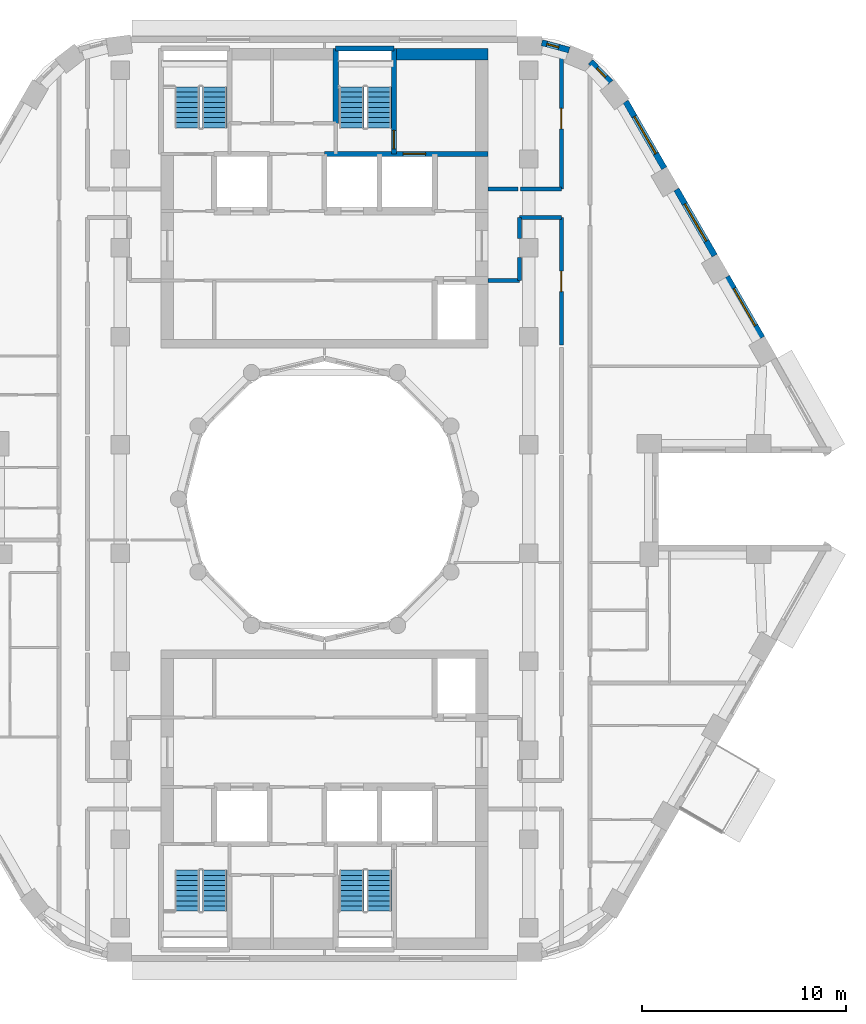
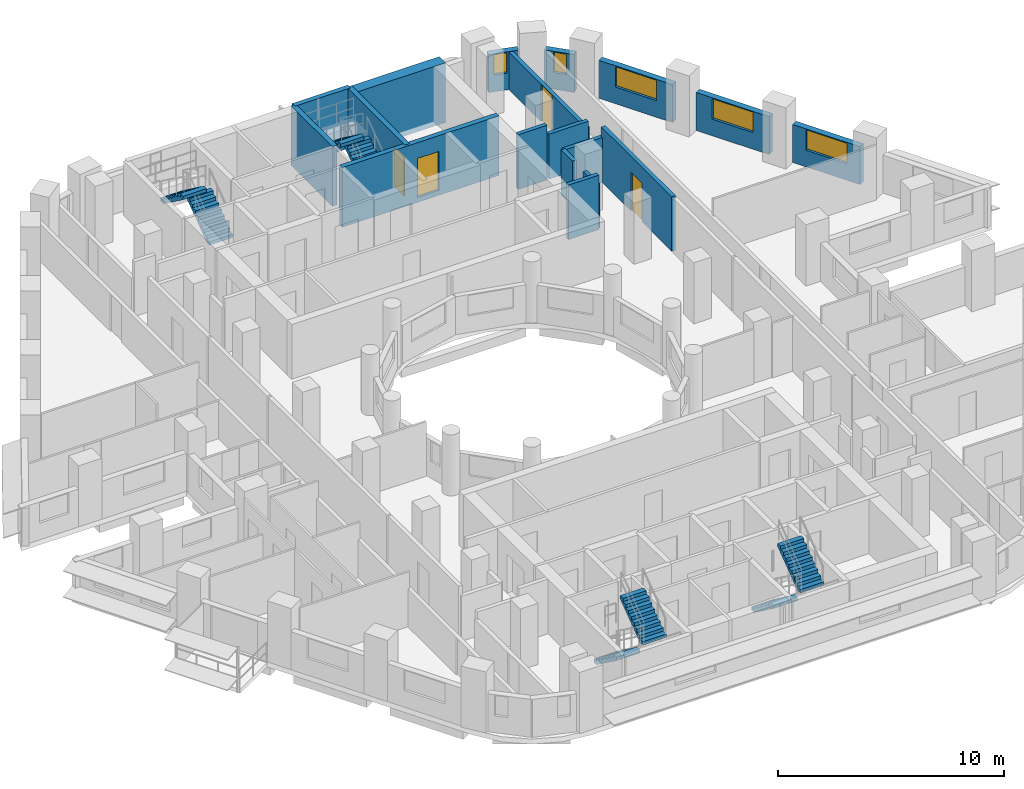
# One storey, part 9 of 15: 18 walls, 8 stair flights, 5 windows, 4 doors, 9 openings, 4 elements without a shape of their own.
"""IFC4 building model written with IfcOpenShell, lengths in metres."""

from ifc_helpers import new_model, si_unit, direction, frame, frame_2d, origin, place, context, subcontext, project, spatial, polyline, rectangle, outline, extrude, material, layer, layer_set, type_object, element, fill, aggregate, save


model = new_model("IFC4")

# Units and contexts
model_context = context("Model", 3, precision=1e-05, world=origin(), true_north=direction((0.0, 1.0)))
body_context = subcontext(model_context, "Body", "Model", "MODEL_VIEW")
ifc_project = project(units=[si_unit("LENGTHUNIT", "METRE"), si_unit("AREAUNIT", "SQUARE_METRE"), si_unit("VOLUMEUNIT", "CUBIC_METRE"), si_unit("PLANEANGLEUNIT", "RADIAN"), si_unit("MASSUNIT", "GRAM", prefix="KILO")], contexts=[model_context])

# Site, building, storey
site_placement = place(None, origin())
site = spatial("IfcSite", under=ifc_project, at=site_placement, CompositionType="ELEMENT")
building_placement = place(site_placement, origin())
building = spatial("IfcBuilding", under=site, at=building_placement, Name="Nakaniwa Court", CompositionType="ELEMENT")
storey_placement = place(building_placement, frame((0.0, 0.0, 216.300048828125)))
storey = spatial("IfcBuildingStorey", under=building, at=storey_placement, Name="L57", CompositionType="ELEMENT", Elevation=216.300048828125)

# Wall, opening, door
ifc_material_1 = material(Name="Acoustic double stud partition")
ifc_layer_1 = layer(ifc_material_1, 0.199951171875)
ifc_layer_set_1 = layer_set([ifc_layer_1], Name="Acoustic double stud partition")
wall_type_1 = type_object("IfcWallType", Name="Acoustic double stud partition 200", PredefinedType="PARTITIONING", material=ifc_layer_set_1)
wall_1_placement = place(storey_placement, frame((91.60009765625, 87.537109375, 0.0), z_axis=(0.0, 0.0, 1.0), x_axis=(0.0, 1.0, 0.0)))
wall_1 = element("IfcWall", 1, at=wall_1_placement, inside=storey, type_object=wall_type_1, Name="Partition PW-069", PredefinedType="PARTITIONING", context=body_context, shape_type="SweptSolid", body=[
    extrude(rectangle(XDim=6.23779296875, YDim=0.199951171875, at=frame_2d((3.118896484375, 0.0))), origin(), (0.0, 0.0, 1.0), 2.949951171875),
])
opening_1_placement = place(wall_1_placement, frame((2.6201171875, 0.0, 0.0)))
opening_1 = element("IfcOpeningElement", 2, at=opening_1_placement, cuts=wall_1, Name="Opening D-02-02", PredefinedType="OPENING", context=body_context, shape_type="SweptSolid", body=[
    extrude(rectangle(XDim=1.0, YDim=2.10009765625, at=frame_2d((0.5, 1.050048828125))), frame((0.0, 0.10986328125, 0.0), z_axis=(0.0, -1.0, 0.0), x_axis=(1.0, 0.0, 0.0)), (0.0, 0.0, 1.0), 0.219970703125),
])
ifc_material_2 = material(Name="Solid core timber door set, black veneer", Category="wood")
door_type_1 = type_object("IfcDoorType", Name="Internal door 1000", OperationType="NOTDEFINED", PredefinedType="DOOR", material=ifc_material_2)
door_1_placement = place(opening_1_placement, origin())
door_1 = element("IfcDoor", 3, at=door_1_placement, inside=storey, type_object=door_type_1, Name="Door D-02-02 L57-031", OperationType="SINGLE_SWING_RIGHT", OverallHeight=2.10009765625, OverallWidth=1.0, PredefinedType="DOOR", context=body_context, shape_type="SweptSolid", body=[
    extrude(rectangle(XDim=1.0, YDim=2.10009765625, at=frame_2d((0.5, 1.050048828125))), frame((0.0, 0.02490234375, 0.0), z_axis=(0.0, -1.0, 0.0), x_axis=(1.0, 0.0, 0.0)), (0.0, 0.0, 1.0), 0.050048828125),
])
fill(opening_1, door_1)

wall_2_placement = place(storey_placement, frame((91.60009765625, 95.175048828125, 0.0), z_axis=(0.0, 0.0, 1.0), x_axis=(0.0, 1.0, 0.0)))
wall_2 = element("IfcWall", 4, at=wall_2_placement, inside=storey, type_object=wall_type_1, Name="Partition PW-070", PredefinedType="PARTITIONING", context=body_context, shape_type="SweptSolid", body=[
    extrude(rectangle(XDim=6.898681640625, YDim=0.199951171875, at=frame_2d((3.44921875, 0.0))), origin(), (0.0, 0.0, 1.0), 2.030029296875),
])
opening_2_placement = place(wall_2_placement, frame((2.949951171875, 0.0, 0.0)))
opening_2 = element("IfcOpeningElement", 5, at=opening_2_placement, cuts=wall_2, Name="Opening D-36-05", PredefinedType="OPENING", context=body_context, shape_type="SweptSolid", body=[
    extrude(rectangle(XDim=1.0, YDim=2.010009765625, at=frame_2d((0.5, 1.0048828125))), frame((0.0, 0.10986328125, 0.0), z_axis=(0.0, -1.0, 0.0), x_axis=(1.0, 0.0, 0.0)), (0.0, 0.0, 1.0), 0.219970703125),
])
door_type_2 = type_object("IfcDoorType", Name="Internal door 1000 x 2010", OperationType="NOTDEFINED", PredefinedType="DOOR", material=ifc_material_2)
door_2_placement = place(opening_2_placement, origin())
door_2 = element("IfcDoor", 6, at=door_2_placement, inside=storey, type_object=door_type_2, Name="Door D-36-05 L57-048", OperationType="SINGLE_SWING_LEFT", OverallHeight=2.010009765625, OverallWidth=1.0, PredefinedType="DOOR", context=body_context, shape_type="SweptSolid", body=[
    extrude(rectangle(XDim=1.0, YDim=2.010009765625, at=frame_2d((0.5, 1.0048828125))), frame((0.0, 0.02490234375, 0.0), z_axis=(0.0, -1.0, 0.0), x_axis=(1.0, 0.0, 0.0)), (0.0, 0.0, 1.0), 0.050048828125),
])
fill(opening_2, door_2)

# Walls
wall_3_placement = place(storey_placement, frame((89.550048828125, 90.699951171875, 0.0), z_axis=(0.0, 0.0, 1.0), x_axis=(0.0, 1.0, 0.0)))
element("IfcWall", 7, at=wall_3_placement, inside=storey, type_object=wall_type_1, Name="Partition PW-080", PredefinedType="PARTITIONING", context=body_context, shape_type="SweptSolid", body=[
    extrude(rectangle(XDim=1.1328125, YDim=0.199951171875, at=frame_2d((0.56640625, 0.0))), origin(), (0.0, 0.0, 1.0), 2.429931640625),
])
wall_4_placement = place(storey_placement, frame((89.550048828125, 92.76708984375, 0.0), z_axis=(0.0, 0.0, 1.0), x_axis=(0.0, 1.0, 0.0)))
element("IfcWall", 8, at=wall_4_placement, inside=storey, type_object=wall_type_1, Name="Partition PW-081", PredefinedType="PARTITIONING", context=body_context, shape_type="SweptSolid", body=[
    extrude(rectangle(XDim=1.0078125, YDim=0.199951171875, at=frame_2d((0.50390625, 0.0))), origin(), (0.0, 0.0, 1.0), 2.429931640625),
])
wall_5_placement = place(storey_placement, frame((89.550048828125, 93.77490234375, 0.0), z_axis=(0.0, 0.0, 1.0), x_axis=(1.0, 0.0, 0.0)))
element("IfcWall", 9, at=wall_5_placement, inside=storey, type_object=wall_type_1, Name="Partition PW-085", PredefinedType="PARTITIONING", context=body_context, shape_type="SweptSolid", body=[
    extrude(rectangle(XDim=2.050048828125, YDim=0.199951171875, at=frame_2d((1.02490234375, 0.0))), origin(), (0.0, 0.0, 1.0), 2.429931640625),
])
wall_6_placement = place(storey_placement, frame((88.0, 90.699951171875, 0.0), z_axis=(0.0, 0.0, 1.0), x_axis=(1.0, 0.0, 0.0)))
element("IfcWall", 10, at=wall_6_placement, inside=storey, type_object=wall_type_1, Name="Partition PW-087", PredefinedType="PARTITIONING", context=body_context, shape_type="SweptSolid", body=[
    extrude(rectangle(XDim=1.550048828125, YDim=0.199951171875, at=frame_2d((0.77490234375, 0.0))), origin(), (0.0, 0.0, 1.0), 2.949951171875),
])
wall_7_placement = place(storey_placement, frame((88.0, 95.175048828125, 0.0), z_axis=(0.0, 0.0, 1.0), x_axis=(1.0, 0.0, 0.0)))
element("IfcWall", 11, at=wall_7_placement, inside=storey, type_object=wall_type_1, Name="Partition PW-090", PredefinedType="PARTITIONING", context=body_context, shape_type="SweptSolid", body=[
    extrude(rectangle(XDim=1.472900390625, YDim=0.199951171875, at=frame_2d((0.736328125, 0.0))), origin(), (0.0, 0.0, 1.0), 2.949951171875),
])
wall_8_placement = place(storey_placement, frame((89.587158203125, 95.175048828125, 0.0), z_axis=(0.0, 0.0, 1.0), x_axis=(1.0, 0.0, 0.0)))
element("IfcWall", 12, at=wall_8_placement, inside=storey, type_object=wall_type_1, Name="Partition PW-091", PredefinedType="PARTITIONING", context=body_context, shape_type="SweptSolid", body=[
    extrude(rectangle(XDim=2.012939453125, YDim=0.199951171875, at=frame_2d((1.00634765625, 0.0))), origin(), (0.0, 0.0, 1.0), 2.429931640625),
])

# Wall, opening, window
ifc_material_3 = material(Name="Charcoal ceramic cladding")
ifc_layer_2 = layer(ifc_material_3, 0.02, Name="Ceramic cladding")
ifc_material_4 = material(Name="Ventilated air cavity")
ifc_layer_3 = layer(ifc_material_4, 0.04, ventilated=True, Name="Ventilated cavity")
ifc_material_5 = material(Name="Mineral wool insulation")
ifc_layer_4 = layer(ifc_material_5, 0.1, Name="Insulation")
ifc_material_6 = material(Name="Cement bonded sheathing board")
ifc_layer_5 = layer(ifc_material_6, 0.012, Name="Sheathing")
ifc_material_7 = material(Name="Cold-formed galvanised stud frame with mineral wool infill")
ifc_layer_6 = layer(ifc_material_7, 0.1, Name="Stud frame")
ifc_material_8 = material(Name="Fire-rated gypsum plasterboard lining")
ifc_layer_7 = layer(ifc_material_8, 0.028, Name="Lining")
ifc_layer_set_2 = layer_set([ifc_layer_2, ifc_layer_3, ifc_layer_4, ifc_layer_5, ifc_layer_6, ifc_layer_7], Name="Charcoal ceramic faced external wall system")
wall_type_2 = type_object("IfcWallType", Name="Black ceramic faced external wall 300", PredefinedType="SOLIDWALL", material=ifc_layer_set_2)
wall_9_placement = place(storey_placement, frame((101.420654296875, 87.898193359375, 0.0), z_axis=(0.0, 0.0, 1.0), x_axis=(-0.499955427682, 0.866051136095, 0.0)))
wall_9 = element("IfcWall", 13, at=wall_9_placement, inside=storey, type_object=wall_type_2, Name="L57 external wall 03", PredefinedType="SOLIDWALL", context=body_context, shape_type="SweptSolid", body=[
    extrude(rectangle(XDim=3.447021484375, YDim=0.300048828125, at=frame_2d((1.7236328125, 0.0))), origin(), (0.0, 0.0, 1.0), 2.050048828125),
])
opening_3_placement = place(wall_9_placement, frame((0.673583984375, 0.0, 0.89990234375)))
opening_3 = element("IfcOpeningElement", 14, at=opening_3_placement, cuts=wall_9, Name="Opening W7.04", PredefinedType="OPENING", context=body_context, shape_type="SweptSolid", body=[
    extrude(rectangle(XDim=2.10009765625, YDim=1.10009765625, at=frame_2d((1.050048828125, 0.550048828125))), frame((0.0, 0.159912109375, 0.0), z_axis=(0.0, -1.0, 0.0), x_axis=(1.0, 0.0, 0.0)), (0.0, 0.0, 1.0), 0.320068359375),
])
ifc_material_9 = material(Name="Black anodised aluminium frame with dark low-E laminated double glazing", Category="aluminium")
window_type_1 = type_object("IfcWindowType", Name="Dark glass window 2100x1100 sill 900", PartitioningType="SINGLE_PANEL", PredefinedType="WINDOW", material=ifc_material_9)
window_1_placement = place(opening_3_placement, origin())
window_1 = element("IfcWindow", 15, at=window_1_placement, inside=storey, type_object=window_type_1, Name="L57 habitable room window 03-0", OverallHeight=1.10009765625, OverallWidth=2.10009765625, PartitioningType="SINGLE_PANEL", PredefinedType="WINDOW", context=body_context, shape_type="SweptSolid", body=[
    extrude(rectangle(XDim=2.10009765625, YDim=1.10009765625, at=frame_2d((1.050048828125, 0.550048828125))), frame((0.0, 0.030029296875, 0.0), z_axis=(0.0, -1.0, 0.0), x_axis=(1.0, 0.0, 0.0)), (0.0, 0.0, 1.0), 0.06005859375),
])
fill(opening_3, window_1)

wall_10_placement = place(storey_placement, frame((99.101318359375, 91.916015625, 0.0), z_axis=(0.0, 0.0, 1.0), x_axis=(-0.500059225181, 0.86599120741, 0.0)))
wall_10 = element("IfcWall", 16, at=wall_10_placement, inside=storey, type_object=wall_type_2, Name="L57 external wall 04", PredefinedType="SOLIDWALL", context=body_context, shape_type="SweptSolid", body=[
    extrude(rectangle(XDim=3.744140625, YDim=0.300048828125, at=frame_2d((1.8720703125, 0.0))), origin(), (0.0, 0.0, 1.0), 2.050048828125),
])
opening_4_placement = place(wall_10_placement, frame((0.822265625, 0.0, 0.89990234375)))
opening_4 = element("IfcOpeningElement", 17, at=opening_4_placement, cuts=wall_10, Name="Opening W7.05", PredefinedType="OPENING", context=body_context, shape_type="SweptSolid", body=[
    extrude(rectangle(XDim=2.10009765625, YDim=1.10009765625, at=frame_2d((1.050048828125, 0.550048828125))), frame((0.0, 0.159912109375, 0.0), z_axis=(0.0, -1.0, 0.0), x_axis=(1.0, 0.0, 0.0)), (0.0, 0.0, 1.0), 0.320068359375),
])
window_2_placement = place(opening_4_placement, origin())
window_2 = element("IfcWindow", 18, at=window_2_placement, inside=storey, type_object=window_type_1, Name="L57 habitable room window 04-0", OverallHeight=1.10009765625, OverallWidth=2.10009765625, PartitioningType="SINGLE_PANEL", PredefinedType="WINDOW", context=body_context, shape_type="SweptSolid", body=[
    extrude(rectangle(XDim=2.10009765625, YDim=1.10009765625, at=frame_2d((1.050048828125, 0.550048828125))), frame((0.0, 0.030029296875, 0.0), z_axis=(0.0, -1.0, 0.0), x_axis=(1.0, 0.0, 0.0)), (0.0, 0.0, 1.0), 0.06005859375),
])
fill(opening_4, window_2)

wall_11_placement = place(storey_placement, frame((96.633056640625, 96.190673828125, 0.0), z_axis=(0.0, 0.0, 1.0), x_axis=(-0.499961087031, 0.866047869032, 0.0)))
wall_11 = element("IfcWall", 19, at=wall_11_placement, inside=storey, type_object=wall_type_2, Name="L57 external wall 05", PredefinedType="SOLIDWALL", context=body_context, shape_type="SweptSolid", body=[
    extrude(rectangle(XDim=3.778564453125, YDim=0.300048828125, at=frame_2d((1.88916015625, 0.0))), origin(), (0.0, 0.0, 1.0), 2.050048828125),
])
opening_5_placement = place(wall_11_placement, frame((0.827880859375, 0.0, 0.89990234375)))
opening_5 = element("IfcOpeningElement", 20, at=opening_5_placement, cuts=wall_11, Name="Opening W7.06", PredefinedType="OPENING", context=body_context, shape_type="SweptSolid", body=[
    extrude(rectangle(XDim=2.10009765625, YDim=1.10009765625, at=frame_2d((1.050048828125, 0.550048828125))), frame((0.0, 0.159912109375, 0.0), z_axis=(0.0, -1.0, 0.0), x_axis=(1.0, 0.0, 0.0)), (0.0, 0.0, 1.0), 0.320068359375),
])
window_3_placement = place(opening_5_placement, origin())
window_3 = element("IfcWindow", 21, at=window_3_placement, inside=storey, type_object=window_type_1, Name="L57 habitable room window 05-0", OverallHeight=1.10009765625, OverallWidth=2.10009765625, PartitioningType="SINGLE_PANEL", PredefinedType="WINDOW", context=body_context, shape_type="SweptSolid", body=[
    extrude(rectangle(XDim=2.10009765625, YDim=1.10009765625, at=frame_2d((1.050048828125, 0.550048828125))), frame((0.0, 0.030029296875, 0.0), z_axis=(0.0, -1.0, 0.0), x_axis=(1.0, 0.0, 0.0)), (0.0, 0.0, 1.0), 0.06005859375),
])
fill(opening_5, window_3)

wall_12_placement = place(storey_placement, frame((94.009033203125, 100.40185546875, 0.0), z_axis=(0.0, 0.0, 1.0), x_axis=(-0.69817596362, 0.715926199984, 0.0)))
wall_12 = element("IfcWall", 22, at=wall_12_placement, inside=storey, type_object=wall_type_2, Name="L57 external wall 06", PredefinedType="SOLIDWALL", context=body_context, shape_type="SweptSolid", body=[
    extrude(rectangle(XDim=1.40283203125, YDim=0.300048828125, at=frame_2d((0.701416015625, 0.0))), origin(), (0.0, 0.0, 1.0), 2.050048828125),
])
opening_6_placement = place(wall_12_placement, frame((0.35986328125, 0.0, 0.89990234375)))
opening_6 = element("IfcOpeningElement", 23, at=opening_6_placement, cuts=wall_12, Name="Opening W8.07", PredefinedType="OPENING", context=body_context, shape_type="SweptSolid", body=[
    extrude(rectangle(XDim=0.60009765625, YDim=1.10009765625, at=frame_2d((0.300048828125, 0.550048828125))), frame((0.0, 0.159912109375, 0.0), z_axis=(0.0, -1.0, 0.0), x_axis=(1.0, 0.0, 0.0)), (0.0, 0.0, 1.0), 0.320068359375),
])
window_type_2 = type_object("IfcWindowType", Name="Dark glass window 600x1100 sill 900", PartitioningType="SINGLE_PANEL", PredefinedType="WINDOW", material=ifc_material_9)
window_4_placement = place(opening_6_placement, origin())
window_4 = element("IfcWindow", 24, at=window_4_placement, inside=storey, type_object=window_type_2, Name="L57 habitable room window 06-0", OverallHeight=1.10009765625, OverallWidth=0.60009765625, PartitioningType="SINGLE_PANEL", PredefinedType="WINDOW", context=body_context, shape_type="SweptSolid", body=[
    extrude(rectangle(XDim=0.60009765625, YDim=1.10009765625, at=frame_2d((0.300048828125, 0.550048828125))), frame((0.0, 0.030029296875, 0.0), z_axis=(0.0, -1.0, 0.0), x_axis=(1.0, 0.0, 0.0)), (0.0, 0.0, 1.0), 0.06005859375),
])
fill(opening_6, window_4)

wall_13_placement = place(storey_placement, frame((91.977294921875, 101.981201171875, 0.0), z_axis=(0.0, 0.0, 1.0), x_axis=(-0.965315341278, 0.261086751661, 0.0)))
wall_13 = element("IfcWall", 25, at=wall_13_placement, inside=storey, type_object=wall_type_2, Name="L57 external wall 07", PredefinedType="SOLIDWALL", context=body_context, shape_type="SweptSolid", body=[
    extrude(rectangle(XDim=1.384033203125, YDim=0.300048828125, at=frame_2d((0.69189453125, 0.0))), origin(), (0.0, 0.0, 1.0), 2.050048828125),
])
opening_7_placement = place(wall_13_placement, frame((0.529296875, 0.0, 0.89990234375)))
opening_7 = element("IfcOpeningElement", 26, at=opening_7_placement, cuts=wall_13, Name="Opening W8.08", PredefinedType="OPENING", context=body_context, shape_type="SweptSolid", body=[
    extrude(rectangle(XDim=0.60009765625, YDim=1.10009765625, at=frame_2d((0.300048828125, 0.550048828125))), frame((0.0, 0.159912109375, 0.0), z_axis=(0.0, -1.0, 0.0), x_axis=(1.0, 0.0, 0.0)), (0.0, 0.0, 1.0), 0.320068359375),
])
window_5_placement = place(opening_7_placement, origin())
window_5 = element("IfcWindow", 27, at=window_5_placement, inside=storey, type_object=window_type_2, Name="L57 habitable room window 07-1", OverallHeight=1.10009765625, OverallWidth=0.60009765625, PartitioningType="SINGLE_PANEL", PredefinedType="WINDOW", context=body_context, shape_type="SweptSolid", body=[
    extrude(rectangle(XDim=0.60009765625, YDim=1.10009765625, at=frame_2d((0.300048828125, 0.550048828125))), frame((0.0, 0.030029296875, 0.0), z_axis=(0.0, -1.0, 0.0), x_axis=(1.0, 0.0, 0.0)), (0.0, 0.0, 1.0), 0.06005859375),
])
fill(opening_7, window_5)

# Walls
ifc_material_10 = material(Name="Concrete C80/100", Category="concrete")
ifc_layer_8 = layer(ifc_material_10, 0.25)
ifc_layer_set_3 = layer_set([ifc_layer_8], Name="Concrete C80/100")
wall_type_3 = type_object("IfcWallType", Name="Concrete core wall 250 C80", PredefinedType="SHEAR", material=ifc_layer_set_3)
wall_14_placement = place(storey_placement, frame((80.550048828125, 102.050048828125, -0.275146484375), z_axis=(0.0, 0.0, 1.0), x_axis=(1.0, 0.0, 0.0)))
element("IfcWall", 28, at=wall_14_placement, inside=storey, type_object=wall_type_3, Name="Core wall SW-24", PredefinedType="SHEAR", context=body_context, shape_type="SweptSolid", body=[
    extrude(rectangle(XDim=2.849853515625, YDim=0.25, at=frame_2d((1.4248046875, 0.0))), origin(), (0.0, 0.0, 1.0), 3.22509765625),
])
ifc_layer_9 = layer(ifc_material_10, 0.550048828125)
ifc_layer_set_4 = layer_set([ifc_layer_9], Name="Concrete C80/100")
wall_type_4 = type_object("IfcWallType", Name="Concrete core wall 550 C80", PredefinedType="SHEAR", material=ifc_layer_set_4)
wall_15_placement = place(storey_placement, frame((83.39990234375, 101.77490234375, -0.275146484375), z_axis=(0.0, 0.0, 1.0), x_axis=(1.0, 0.0, 0.0)))
element("IfcWall", 29, at=wall_15_placement, inside=storey, type_object=wall_type_4, Name="Core wall SW-30", PredefinedType="SHEAR", context=body_context, shape_type="SweptSolid", body=[
    extrude(rectangle(XDim=4.60009765625, YDim=0.550048828125, at=frame_2d((2.300048828125, 0.0))), origin(), (0.0, 0.0, 1.0), 3.22509765625),
])

# Wall, opening, door
ifc_layer_10 = layer(ifc_material_10, 0.25)
ifc_layer_set_5 = layer_set([ifc_layer_10], Name="Concrete C80/100")
wall_type_5 = type_object("IfcWallType", Name="Concrete shaft wall 250 C80", PredefinedType="SHEAR", material=ifc_layer_set_5)
wall_16_placement = place(storey_placement, frame((80.0, 96.89990234375, -0.275146484375), z_axis=(0.0, 0.0, 1.0), x_axis=(1.0, 0.0, 0.0)))
wall_16 = element("IfcWall", 30, at=wall_16_placement, inside=storey, type_object=wall_type_5, Name="Core wall SW-17", PredefinedType="SHEAR", context=body_context, shape_type="SweptSolid", body=[
    extrude(rectangle(XDim=8.0, YDim=0.25, at=frame_2d((4.0, 0.0))), origin(), (0.0, 0.0, 1.0), 3.22509765625),
])
opening_8_placement = place(wall_16_placement, frame((3.84912109375, 0.0, 0.27490234375)))
opening_8 = element("IfcOpeningElement", 31, at=opening_8_placement, cuts=wall_16, Name="Opening LD04", PredefinedType="OPENING", context=body_context, shape_type="SweptSolid", body=[
    extrude(rectangle(XDim=1.10009765625, YDim=2.10009765625, at=frame_2d((0.550048828125, 1.050048828125))), frame((0.0, 0.135009765625, 0.0), z_axis=(0.0, -1.0, 0.0), x_axis=(1.0, 0.0, 0.0)), (0.0, 0.0, 1.0), 0.27001953125),
])
ifc_material_11 = material(Name="Stainless steel sliding lift landing door", Category="steel")
door_type_3 = type_object("IfcDoorType", Name="Lift landing door 1100", OperationType="NOTDEFINED", PredefinedType="DOOR", material=ifc_material_11)
door_3_placement = place(opening_8_placement, origin())
door_3 = element("IfcDoor", 32, at=door_3_placement, inside=storey, type_object=door_type_3, Name="Lift landing door LD04 L57-004", OperationType="SLIDING_TO_LEFT", OverallHeight=2.10009765625, OverallWidth=1.10009765625, PredefinedType="DOOR", context=body_context, shape_type="SweptSolid", body=[
    extrude(rectangle(XDim=1.10009765625, YDim=2.10009765625, at=frame_2d((0.550048828125, 1.050048828125))), frame((0.0, 0.02490234375, 0.0), z_axis=(0.0, -1.0, 0.0), x_axis=(1.0, 0.0, 0.0)), (0.0, 0.0, 1.0), 0.050048828125),
])
fill(opening_8, door_3)

wall_17_placement = place(storey_placement, frame((83.39990234375, 102.050048828125, -0.275146484375), z_axis=(0.0, 0.0, 1.0), x_axis=(0.0, -1.0, 0.0)))
wall_17 = element("IfcWall", 33, at=wall_17_placement, inside=storey, type_object=wall_type_5, Name="Core wall SW-26", PredefinedType="SHEAR", context=body_context, shape_type="SweptSolid", body=[
    extrude(rectangle(XDim=5.150146484375, YDim=0.25, at=frame_2d((2.5751953125, 0.0))), origin(), (0.0, 0.0, 1.0), 3.22509765625),
])
opening_9_placement = place(wall_17_placement, frame((4.0, 0.0, 0.27490234375)))
opening_9 = element("IfcOpeningElement", 34, at=opening_9_placement, cuts=wall_17, Name="Opening D-11-01", PredefinedType="OPENING", context=body_context, shape_type="SweptSolid", body=[
    extrude(rectangle(XDim=0.89990234375, YDim=2.10009765625, at=frame_2d((0.449951171875, 1.050048828125))), frame((0.0, 0.135009765625, 0.0), z_axis=(0.0, -1.0, 0.0), x_axis=(1.0, 0.0, 0.0)), (0.0, 0.0, 1.0), 0.27001953125),
])
ifc_material_12 = material(Name="Fire rated steel door set", Category="steel")
door_type_4 = type_object("IfcDoorType", Name="Stair door 900", OperationType="NOTDEFINED", PredefinedType="DOOR", material=ifc_material_12)
door_4_placement = place(opening_9_placement, origin())
door_4 = element("IfcDoor", 35, at=door_4_placement, inside=storey, type_object=door_type_4, Name="Door D-11-01 L57-010", OperationType="SINGLE_SWING_RIGHT", OverallHeight=2.10009765625, OverallWidth=0.89990234375, PredefinedType="DOOR", context=body_context, shape_type="SweptSolid", body=[
    extrude(rectangle(XDim=0.89990234375, YDim=2.10009765625, at=frame_2d((0.449951171875, 1.050048828125))), frame((0.0, 0.02490234375, 0.0), z_axis=(0.0, -1.0, 0.0), x_axis=(1.0, 0.0, 0.0)), (0.0, 0.0, 1.0), 0.050048828125),
])
fill(opening_9, door_4)

# Wall
wall_18_placement = place(storey_placement, frame((80.550048828125, 98.39697265625, -0.275146484375), z_axis=(0.0, 0.0, 1.0), x_axis=(0.0, 1.0, 0.0)))
element("IfcWall", 36, at=wall_18_placement, inside=storey, type_object=wall_type_5, Name="Core wall SW-28", PredefinedType="SHEAR", context=body_context, shape_type="SweptSolid", body=[
    extrude(rectangle(XDim=3.653076171875, YDim=0.25, at=frame_2d((1.82666015625, 0.0))), origin(), (0.0, 0.0, 1.0), 3.22509765625),
])

# Stair, stair flights
stair_type = type_object("IfcStairType", Name="Dog leg stair 1200 wide 18 risers", PredefinedType="HALF_TURN_STAIR", material=ifc_material_10)
stair_1_placement = place(storey_placement, origin())
stair_1 = element("IfcStair", 37, at=stair_1_placement, inside=storey, type_object=stair_type, Name="L57 Stair ST1", PredefinedType="HALF_TURN_STAIR")
stair_flight_type = type_object("IfcStairFlightType", Name="Stair flight 1200 wide 9 risers", PredefinedType="STRAIGHT", material=ifc_material_10)
stair_flight_1_placement = place(storey_placement, frame((74.625, 98.175048828125, 0.0), z_axis=(0.0, 0.0, 1.0), x_axis=(0.0, 1.0, 0.0)))
stair_flight_1 = element("IfcStairFlight", 38, at=stair_flight_1_placement, type_object=stair_flight_type, Name="ST1 flight 1", NumberOfRisers=9, NumberOfTreads=8, PredefinedType="STRAIGHT", RiserHeight=0.183333333, TreadLength=0.25, context=body_context, shape_type="SweptSolid", body=[
    extrude(outline(polyline([(0.0, 0.0), (0.0, 0.026123046875), (0.0, 0.052490234375), (0.0, 0.07861328125), (0.0, 0.104736328125), (0.0, 0.130859375), (0.0, 0.1572265625), (0.0, 0.183349609375), (0.25, 0.183349609375), (0.25, 0.36669921875), (0.5, 0.36669921875), (0.5, 0.550048828125), (0.75, 0.550048828125), (0.75, 0.7333984375), (1.0, 0.7333984375), (1.0, 0.916748046875), (1.25, 0.916748046875), (1.25, 1.10009765625), (1.5, 1.10009765625), (1.5, 1.283447265625), (1.75, 1.283447265625), (1.75, 1.466552734375), (2.0, 1.466552734375), (2.0, 1.64990234375), (2.0, 1.59716796875), (2.0, 1.54443359375), (2.0, 1.49169921875), (2.0, 1.43896484375), (2.0, 1.38623046875), (2.0, 1.33349609375), (2.0, 1.28076171875), (0.25341796875, 0.0), (0.0, 0.0)])), frame((0.0, 0.60009765625, 0.0), z_axis=(0.0, -1.0, 0.0), x_axis=(1.0, 0.0, 0.0)), (0.0, 0.0, 1.0), 1.199951171875),
])
stair_flight_2_placement = place(storey_placement, frame((73.27490234375, 100.175048828125, 1.64990234375), z_axis=(0.0, 0.0, 1.0), x_axis=(0.0, -1.0, 0.0)))
stair_flight_2 = element("IfcStairFlight", 39, at=stair_flight_2_placement, type_object=stair_flight_type, Name="ST1 flight 2", NumberOfRisers=9, NumberOfTreads=8, PredefinedType="STRAIGHT", RiserHeight=0.183333333, TreadLength=0.25, context=body_context, shape_type="SweptSolid", body=[
    extrude(outline(polyline([(0.0, 0.0), (0.0, 0.026123046875), (0.0, 0.052490234375), (0.0, 0.07861328125), (0.0, 0.104736328125), (0.0, 0.130859375), (0.0, 0.1572265625), (0.0, 0.183349609375), (0.25, 0.183349609375), (0.25, 0.36669921875), (0.5, 0.36669921875), (0.5, 0.550048828125), (0.75, 0.550048828125), (0.75, 0.7333984375), (1.0, 0.7333984375), (1.0, 0.916748046875), (1.25, 0.916748046875), (1.25, 1.10009765625), (1.5, 1.10009765625), (1.5, 1.283447265625), (1.75, 1.283447265625), (1.75, 1.466552734375), (2.0, 1.466552734375), (2.0, 1.64990234375), (2.0, 1.59716796875), (2.0, 1.54443359375), (2.0, 1.49169921875), (2.0, 1.43896484375), (2.0, 1.38623046875), (2.0, 1.33349609375), (2.0, 1.28076171875), (0.25341796875, 0.0), (0.0, 0.0)])), frame((0.0, 0.60009765625, 0.0), z_axis=(0.0, -1.0, 0.0), x_axis=(1.0, 0.0, 0.0)), (0.0, 0.0, 1.0), 1.199951171875),
])
aggregate(stair_1, [stair_flight_1, stair_flight_2])

stair_2_placement = place(storey_placement, origin())
stair_2 = element("IfcStair", 40, at=stair_2_placement, inside=storey, type_object=stair_type, Name="L57 Stair ST2", PredefinedType="HALF_TURN_STAIR")
stair_flight_3_placement = place(storey_placement, frame((82.675048828125, 98.175048828125, 0.0), z_axis=(0.0, 0.0, 1.0), x_axis=(0.0, 1.0, 0.0)))
stair_flight_3 = element("IfcStairFlight", 41, at=stair_flight_3_placement, type_object=stair_flight_type, Name="ST2 flight 1", NumberOfRisers=9, NumberOfTreads=8, PredefinedType="STRAIGHT", RiserHeight=0.183333333, TreadLength=0.25, context=body_context, shape_type="SweptSolid", body=[
    extrude(outline(polyline([(0.0, 0.0), (0.0, 0.026123046875), (0.0, 0.052490234375), (0.0, 0.07861328125), (0.0, 0.104736328125), (0.0, 0.130859375), (0.0, 0.1572265625), (0.0, 0.183349609375), (0.25, 0.183349609375), (0.25, 0.36669921875), (0.5, 0.36669921875), (0.5, 0.550048828125), (0.75, 0.550048828125), (0.75, 0.7333984375), (1.0, 0.7333984375), (1.0, 0.916748046875), (1.25, 0.916748046875), (1.25, 1.10009765625), (1.5, 1.10009765625), (1.5, 1.283447265625), (1.75, 1.283447265625), (1.75, 1.466552734375), (2.0, 1.466552734375), (2.0, 1.64990234375), (2.0, 1.59716796875), (2.0, 1.54443359375), (2.0, 1.49169921875), (2.0, 1.43896484375), (2.0, 1.38623046875), (2.0, 1.33349609375), (2.0, 1.28076171875), (0.25341796875, 0.0), (0.0, 0.0)])), frame((0.0, 0.60009765625, 0.0), z_axis=(0.0, -1.0, 0.0), x_axis=(1.0, 0.0, 0.0)), (0.0, 0.0, 1.0), 1.199951171875),
])
stair_flight_4_placement = place(storey_placement, frame((81.324951171875, 100.175048828125, 1.64990234375), z_axis=(0.0, 0.0, 1.0), x_axis=(0.0, -1.0, 0.0)))
stair_flight_4 = element("IfcStairFlight", 42, at=stair_flight_4_placement, type_object=stair_flight_type, Name="ST2 flight 2", NumberOfRisers=9, NumberOfTreads=8, PredefinedType="STRAIGHT", RiserHeight=0.183333333, TreadLength=0.25, context=body_context, shape_type="SweptSolid", body=[
    extrude(outline(polyline([(0.0, 0.0), (0.0, 0.026123046875), (0.0, 0.052490234375), (0.0, 0.07861328125), (0.0, 0.104736328125), (0.0, 0.130859375), (0.0, 0.1572265625), (0.0, 0.183349609375), (0.25, 0.183349609375), (0.25, 0.36669921875), (0.5, 0.36669921875), (0.5, 0.550048828125), (0.75, 0.550048828125), (0.75, 0.7333984375), (1.0, 0.7333984375), (1.0, 0.916748046875), (1.25, 0.916748046875), (1.25, 1.10009765625), (1.5, 1.10009765625), (1.5, 1.283447265625), (1.75, 1.283447265625), (1.75, 1.466552734375), (2.0, 1.466552734375), (2.0, 1.64990234375), (2.0, 1.59716796875), (2.0, 1.54443359375), (2.0, 1.49169921875), (2.0, 1.43896484375), (2.0, 1.38623046875), (2.0, 1.33349609375), (2.0, 1.28076171875), (0.25341796875, 0.0), (0.0, 0.0)])), frame((0.0, 0.60009765625, 0.0), z_axis=(0.0, -1.0, 0.0), x_axis=(1.0, 0.0, 0.0)), (0.0, 0.0, 1.0), 1.199951171875),
])
aggregate(stair_2, [stair_flight_3, stair_flight_4])

stair_3_placement = place(storey_placement, origin())
stair_3 = element("IfcStair", 43, at=stair_3_placement, inside=storey, type_object=stair_type, Name="L57 Stair ST3", PredefinedType="HALF_TURN_STAIR")
stair_flight_5_placement = place(storey_placement, frame((73.27490234375, 61.824951171875, 0.0), z_axis=(0.0, 0.0, 1.0), x_axis=(0.0, -1.0, 0.0)))
stair_flight_5 = element("IfcStairFlight", 44, at=stair_flight_5_placement, type_object=stair_flight_type, Name="ST3 flight 1", NumberOfRisers=9, NumberOfTreads=8, PredefinedType="STRAIGHT", RiserHeight=0.183333333, TreadLength=0.25, context=body_context, shape_type="SweptSolid", body=[
    extrude(outline(polyline([(0.0, 0.0), (0.0, 0.026123046875), (0.0, 0.052490234375), (0.0, 0.07861328125), (0.0, 0.104736328125), (0.0, 0.130859375), (0.0, 0.1572265625), (0.0, 0.183349609375), (0.25, 0.183349609375), (0.25, 0.36669921875), (0.5, 0.36669921875), (0.5, 0.550048828125), (0.75, 0.550048828125), (0.75, 0.7333984375), (1.0, 0.7333984375), (1.0, 0.916748046875), (1.25, 0.916748046875), (1.25, 1.10009765625), (1.5, 1.10009765625), (1.5, 1.283447265625), (1.75, 1.283447265625), (1.75, 1.466552734375), (2.0, 1.466552734375), (2.0, 1.64990234375), (2.0, 1.59716796875), (2.0, 1.54443359375), (2.0, 1.49169921875), (2.0, 1.43896484375), (2.0, 1.38623046875), (2.0, 1.33349609375), (2.0, 1.28076171875), (0.25341796875, 0.0), (0.0, 0.0)])), frame((0.0, 0.60009765625, 0.0), z_axis=(0.0, -1.0, 0.0), x_axis=(1.0, 0.0, 0.0)), (0.0, 0.0, 1.0), 1.199951171875),
])
stair_flight_6_placement = place(storey_placement, frame((74.625, 59.824951171875, 1.64990234375), z_axis=(0.0, 0.0, 1.0), x_axis=(0.0, 1.0, 0.0)))
stair_flight_6 = element("IfcStairFlight", 45, at=stair_flight_6_placement, type_object=stair_flight_type, Name="ST3 flight 2", NumberOfRisers=9, NumberOfTreads=8, PredefinedType="STRAIGHT", RiserHeight=0.183333333, TreadLength=0.25, context=body_context, shape_type="SweptSolid", body=[
    extrude(outline(polyline([(0.0, 0.0), (0.0, 0.026123046875), (0.0, 0.052490234375), (0.0, 0.07861328125), (0.0, 0.104736328125), (0.0, 0.130859375), (0.0, 0.1572265625), (0.0, 0.183349609375), (0.25, 0.183349609375), (0.25, 0.36669921875), (0.5, 0.36669921875), (0.5, 0.550048828125), (0.75, 0.550048828125), (0.75, 0.7333984375), (1.0, 0.7333984375), (1.0, 0.916748046875), (1.25, 0.916748046875), (1.25, 1.10009765625), (1.5, 1.10009765625), (1.5, 1.283447265625), (1.75, 1.283447265625), (1.75, 1.466552734375), (2.0, 1.466552734375), (2.0, 1.64990234375), (2.0, 1.59716796875), (2.0, 1.54443359375), (2.0, 1.49169921875), (2.0, 1.43896484375), (2.0, 1.38623046875), (2.0, 1.33349609375), (2.0, 1.28076171875), (0.25341796875, 0.0), (0.0, 0.0)])), frame((0.0, 0.60009765625, 0.0), z_axis=(0.0, -1.0, 0.0), x_axis=(1.0, 0.0, 0.0)), (0.0, 0.0, 1.0), 1.199951171875),
])
aggregate(stair_3, [stair_flight_5, stair_flight_6])

stair_4_placement = place(storey_placement, origin())
stair_4 = element("IfcStair", 46, at=stair_4_placement, inside=storey, type_object=stair_type, Name="L57 Stair ST4", PredefinedType="HALF_TURN_STAIR")
stair_flight_7_placement = place(storey_placement, frame((81.324951171875, 61.824951171875, 0.0), z_axis=(0.0, 0.0, 1.0), x_axis=(0.0, -1.0, 0.0)))
stair_flight_7 = element("IfcStairFlight", 47, at=stair_flight_7_placement, type_object=stair_flight_type, Name="ST4 flight 1", NumberOfRisers=9, NumberOfTreads=8, PredefinedType="STRAIGHT", RiserHeight=0.183333333, TreadLength=0.25, context=body_context, shape_type="SweptSolid", body=[
    extrude(outline(polyline([(0.0, 0.0), (0.0, 0.026123046875), (0.0, 0.052490234375), (0.0, 0.07861328125), (0.0, 0.104736328125), (0.0, 0.130859375), (0.0, 0.1572265625), (0.0, 0.183349609375), (0.25, 0.183349609375), (0.25, 0.36669921875), (0.5, 0.36669921875), (0.5, 0.550048828125), (0.75, 0.550048828125), (0.75, 0.7333984375), (1.0, 0.7333984375), (1.0, 0.916748046875), (1.25, 0.916748046875), (1.25, 1.10009765625), (1.5, 1.10009765625), (1.5, 1.283447265625), (1.75, 1.283447265625), (1.75, 1.466552734375), (2.0, 1.466552734375), (2.0, 1.64990234375), (2.0, 1.59716796875), (2.0, 1.54443359375), (2.0, 1.49169921875), (2.0, 1.43896484375), (2.0, 1.38623046875), (2.0, 1.33349609375), (2.0, 1.28076171875), (0.25341796875, 0.0), (0.0, 0.0)])), frame((0.0, 0.60009765625, 0.0), z_axis=(0.0, -1.0, 0.0), x_axis=(1.0, 0.0, 0.0)), (0.0, 0.0, 1.0), 1.199951171875),
])
stair_flight_8_placement = place(storey_placement, frame((82.675048828125, 59.824951171875, 1.64990234375), z_axis=(0.0, 0.0, 1.0), x_axis=(0.0, 1.0, 0.0)))
stair_flight_8 = element("IfcStairFlight", 48, at=stair_flight_8_placement, type_object=stair_flight_type, Name="ST4 flight 2", NumberOfRisers=9, NumberOfTreads=8, PredefinedType="STRAIGHT", RiserHeight=0.183333333, TreadLength=0.25, context=body_context, shape_type="SweptSolid", body=[
    extrude(outline(polyline([(0.0, 0.0), (0.0, 0.026123046875), (0.0, 0.052490234375), (0.0, 0.07861328125), (0.0, 0.104736328125), (0.0, 0.130859375), (0.0, 0.1572265625), (0.0, 0.183349609375), (0.25, 0.183349609375), (0.25, 0.36669921875), (0.5, 0.36669921875), (0.5, 0.550048828125), (0.75, 0.550048828125), (0.75, 0.7333984375), (1.0, 0.7333984375), (1.0, 0.916748046875), (1.25, 0.916748046875), (1.25, 1.10009765625), (1.5, 1.10009765625), (1.5, 1.283447265625), (1.75, 1.283447265625), (1.75, 1.466552734375), (2.0, 1.466552734375), (2.0, 1.64990234375), (2.0, 1.59716796875), (2.0, 1.54443359375), (2.0, 1.49169921875), (2.0, 1.43896484375), (2.0, 1.38623046875), (2.0, 1.33349609375), (2.0, 1.28076171875), (0.25341796875, 0.0), (0.0, 0.0)])), frame((0.0, 0.60009765625, 0.0), z_axis=(0.0, -1.0, 0.0), x_axis=(1.0, 0.0, 0.0)), (0.0, 0.0, 1.0), 1.199951171875),
])
aggregate(stair_4, [stair_flight_7, stair_flight_8])

save(model, "model.ifc")
